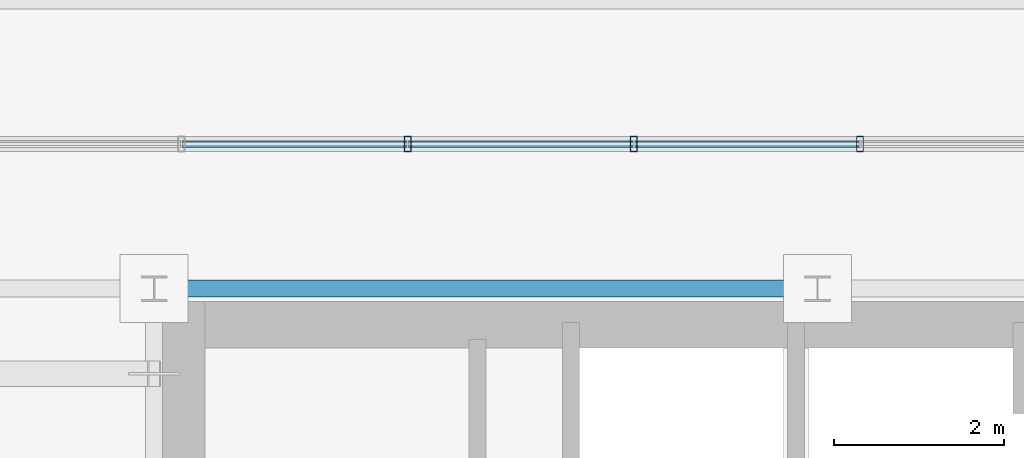
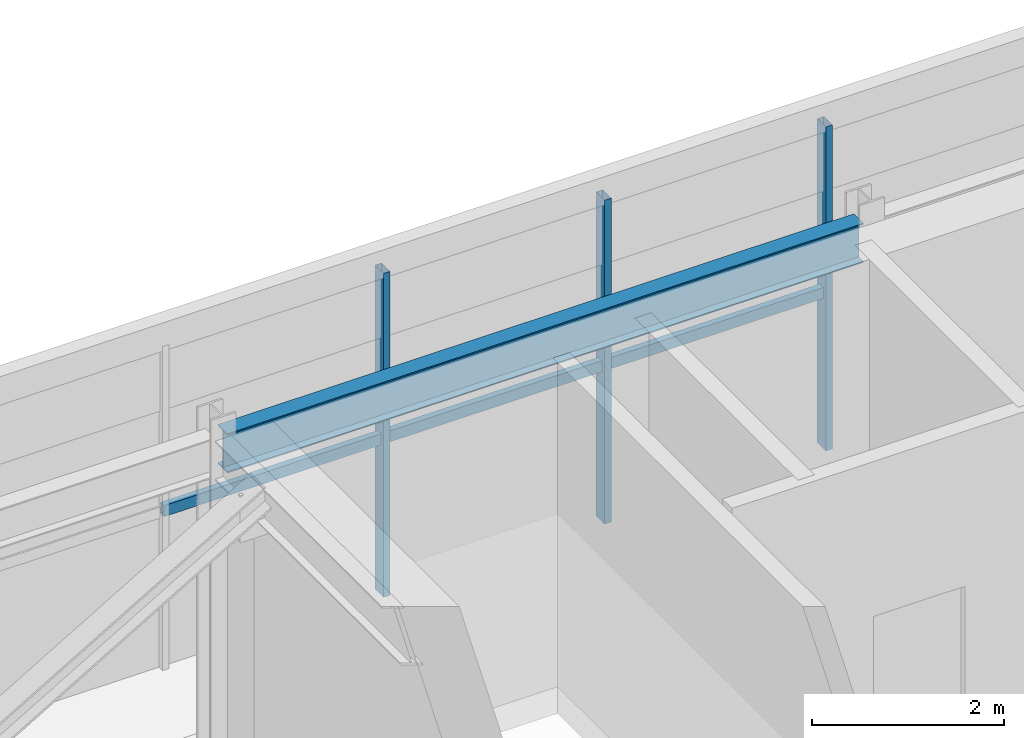
# One storey, part 18 of 38: 6 members, 1 beam, 1 element without a shape of its own.
"""IFC4 building model written with IfcOpenShell, lengths in metres."""

from ifc_helpers import new_model, si_unit, direction, frame, origin, origin_2d, place, context, subcontext, project, spatial, hollow_rectangle, i_section, extrude, source, transform, mapped, material, material_profile, profile_set, type_object, element, aggregate, save


model = new_model("IFC4")

# Units and contexts
model_context = context("Model", 3, precision=1e-05, world=origin(), true_north=direction((0.0, 1.0)))
body_context = subcontext(model_context, "Body", "Model", "MODEL_VIEW")
ifc_project = project(units=[si_unit("LENGTHUNIT", "METRE"), si_unit("AREAUNIT", "SQUARE_METRE"), si_unit("VOLUMEUNIT", "CUBIC_METRE"), si_unit("PLANEANGLEUNIT", "RADIAN"), si_unit("MASSUNIT", "GRAM", prefix="KILO")], contexts=[model_context])

# Site, building, storey
site_placement = place(None, origin())
site = spatial("IfcSite", under=ifc_project, at=site_placement, CompositionType="ELEMENT")
building_placement = place(site_placement, origin())
building = spatial("IfcBuilding", under=site, at=building_placement, Name="Trelvane Seafront Commons", CompositionType="ELEMENT")
storey_placement = place(building_placement, frame((0.0, 0.0, 299.10009765625)))
storey = spatial("IfcBuildingStorey", under=building, at=storey_placement, Name="L78", CompositionType="ELEMENT", Elevation=299.10009765625)

# Beam
ifc_material_1 = material(Name="Steel SM355 (S355)", Category="steel")
ifc_material_profile_1 = material_profile(ifc_material_1, i_section(OverallWidth=0.199951171875, OverallDepth=0.5, WebThickness=0.010009765625, FlangeThickness=0.01611328125, at=origin_2d()), Name="H-500x200x10x16")
ifc_profile_set_1 = profile_set([ifc_material_profile_1], Name="Steel SM355 (S355)")
beam_type = type_object("IfcBeamType", Name="STR-CROWN-FRAME-RING", PredefinedType="SPANDREL", material=ifc_profile_set_1)
shared_shape_1 = source(origin(), body_context, "Body", "SweptSolid", [
    extrude(i_section(OverallWidth=0.199951171875, OverallDepth=0.5, WebThickness=0.010009765625, FlangeThickness=0.01611328125, at=origin_2d()), origin(), (0.0, 0.0, 1.0), 7.64990234375),
])
beam_placement = place(storey_placement, frame((15.675048828125, 45.10009765625, 3.869873046875), z_axis=(1.0, 0.0, 0.0), x_axis=(0.0, 1.0, 0.0)))
element("IfcBeam", 1, at=beam_placement, inside=storey, type_object=beam_type, Name="L78 CROWN FRAME Ring Beam G-16", PredefinedType="SPANDREL", context=body_context, shape_type="MappedRepresentation", body=[
    mapped(shared_shape_1, transform((0.0, 0.0, 0.0), x_axis=(1.0, 0.0, 0.0), y_axis=(0.0, 1.0, 0.0), z_axis=(0.0, 0.0, 1.0), scale=1.0)),
])

# Curtain wall, members
ifc_material_2 = material(Name="Anodised pale-silver aluminium", Category="aluminium")
curtain_wall_type = type_object("IfcCurtainWallType", Name="ARCH-CW6-CROWN", PredefinedType="NOTDEFINED", material=ifc_material_2)
curtain_wall_placement = place(storey_placement, origin())
curtain_wall = element("IfcCurtainWall", 2, at=curtain_wall_placement, inside=storey, type_object=curtain_wall_type, Name="CW-L78-0125", PredefinedType="NOTDEFINED")
ifc_material_profile_2 = material_profile(ifc_material_2, hollow_rectangle(XDim=0.080078125, YDim=0.179931640625, WallThickness=0.00439453125, at=origin_2d()), Name="MULL-80x180x4.5")
ifc_profile_set_2 = profile_set([ifc_material_profile_2], Name="Anodised pale-silver aluminium")
member_type_1 = type_object("IfcMemberType", Name="ARCH-CW-MULL-180", PredefinedType="MULLION", material=ifc_profile_set_2)
shared_shape_2 = source(origin(), body_context, "Body", "SweptSolid", [
    extrude(hollow_rectangle(XDim=0.080078125, YDim=0.179931640625, WallThickness=0.00439453125, at=origin_2d()), origin(), (0.0, 0.0, 1.0), 4.119873046875),
])
member_1_placement = place(storey_placement, frame((18.580078125, 46.800048828125, 0.0), z_axis=(0.0, 0.0, 1.0), x_axis=(1.0, 0.0, 0.0)))
member_1 = element("IfcMember", 3, at=member_1_placement, type_object=member_type_1, Name="CW-L78-0125-M03", PredefinedType="MULLION", context=body_context, shape_type="MappedRepresentation", body=[
    mapped(shared_shape_2, transform((0.0, 0.0, 0.0), x_axis=(1.0, 0.0, 0.0), y_axis=(0.0, 1.0, 0.0), z_axis=(0.0, 0.0, 1.0), scale=1.0)),
])
member_2_placement = place(storey_placement, frame((21.239990234375, 46.800048828125, 0.0), z_axis=(0.0, 0.0, 1.0), x_axis=(1.0, 0.0, 0.0)))
member_2 = element("IfcMember", 4, at=member_2_placement, type_object=member_type_1, Name="CW-L78-0125-M04", PredefinedType="MULLION", context=body_context, shape_type="MappedRepresentation", body=[
    mapped(shared_shape_2, transform((0.0, 0.0, 0.0), x_axis=(1.0, 0.0, 0.0), y_axis=(0.0, 1.0, 0.0), z_axis=(0.0, 0.0, 1.0), scale=1.0)),
])
member_3_placement = place(storey_placement, frame((23.89990234375, 46.800048828125, 0.0), z_axis=(0.0, 0.0, 1.0), x_axis=(1.0, 0.0, 0.0)))
member_3 = element("IfcMember", 5, at=member_3_placement, type_object=member_type_1, Name="CW-L78-0125-M05", PredefinedType="MULLION", context=body_context, shape_type="MappedRepresentation", body=[
    mapped(shared_shape_2, transform((0.0, 0.0, 0.0), x_axis=(1.0, 0.0, 0.0), y_axis=(0.0, 1.0, 0.0), z_axis=(0.0, 0.0, 1.0), scale=1.0)),
])
ifc_material_profile_3 = material_profile(ifc_material_2, hollow_rectangle(XDim=0.074951171875, YDim=0.139892578125, WallThickness=0.00390625, at=origin_2d()), Name="TRAN-75x140x4")
ifc_profile_set_3 = profile_set([ifc_material_profile_3], Name="Anodised pale-silver aluminium")
member_type_2 = type_object("IfcMemberType", Name="ARCH-CW-TRAN-140", PredefinedType="USERDEFINED", material=ifc_profile_set_3)
shared_shape_3 = source(origin(), body_context, "Body", "SweptSolid", [
    extrude(hollow_rectangle(XDim=0.074951171875, YDim=0.139892578125, WallThickness=0.00390625, at=origin_2d()), origin(), (0.0, 0.0, 1.0), 2.635986328125),
])
member_4_placement = place(storey_placement, frame((18.592041015625, 46.800048828125, 1.977783203125), z_axis=(1.0, 0.0, 0.0), x_axis=(0.0, 1.0, 0.0)))
member_4 = element("IfcMember", 6, at=member_4_placement, type_object=member_type_2, Name="CW-L78-0125-T03", ObjectType="TRANSOM", PredefinedType="USERDEFINED", context=body_context, shape_type="MappedRepresentation", body=[
    mapped(shared_shape_3, transform((0.0, 0.0, 0.0), x_axis=(1.0, 0.0, 0.0), y_axis=(0.0, 1.0, 0.0), z_axis=(0.0, 0.0, 1.0), scale=1.0)),
])
member_5_placement = place(storey_placement, frame((21.251953125, 46.800048828125, 1.977783203125), z_axis=(1.0, 0.0, 0.0), x_axis=(0.0, 1.0, 0.0)))
member_5 = element("IfcMember", 7, at=member_5_placement, type_object=member_type_2, Name="CW-L78-0125-T04", ObjectType="TRANSOM", PredefinedType="USERDEFINED", context=body_context, shape_type="MappedRepresentation", body=[
    mapped(shared_shape_3, transform((0.0, 0.0, 0.0), x_axis=(1.0, 0.0, 0.0), y_axis=(0.0, 1.0, 0.0), z_axis=(0.0, 0.0, 1.0), scale=1.0)),
])
shared_shape_4 = source(origin(), body_context, "Body", "SweptSolid", [
    extrude(hollow_rectangle(XDim=0.074951171875, YDim=0.139892578125, WallThickness=0.00390625, at=origin_2d()), origin(), (0.0, 0.0, 1.0), 2.63623046875),
])
member_6_placement = place(storey_placement, frame((15.931884765625, 46.800048828125, 1.977783203125), z_axis=(1.0, 0.0, 0.0), x_axis=(0.0, 1.0, 0.0)))
member_6 = element("IfcMember", 8, at=member_6_placement, type_object=member_type_2, Name="CW-L78-0125-T02", ObjectType="TRANSOM", PredefinedType="USERDEFINED", context=body_context, shape_type="MappedRepresentation", body=[
    mapped(shared_shape_4, transform((0.0, 0.0, 0.0), x_axis=(1.0, 0.0, 0.0), y_axis=(0.0, 1.0, 0.0), z_axis=(0.0, 0.0, 1.0), scale=1.0)),
])
aggregate(curtain_wall, [member_1, member_2, member_3, member_6, member_4, member_5])

save(model, "model.ifc")
